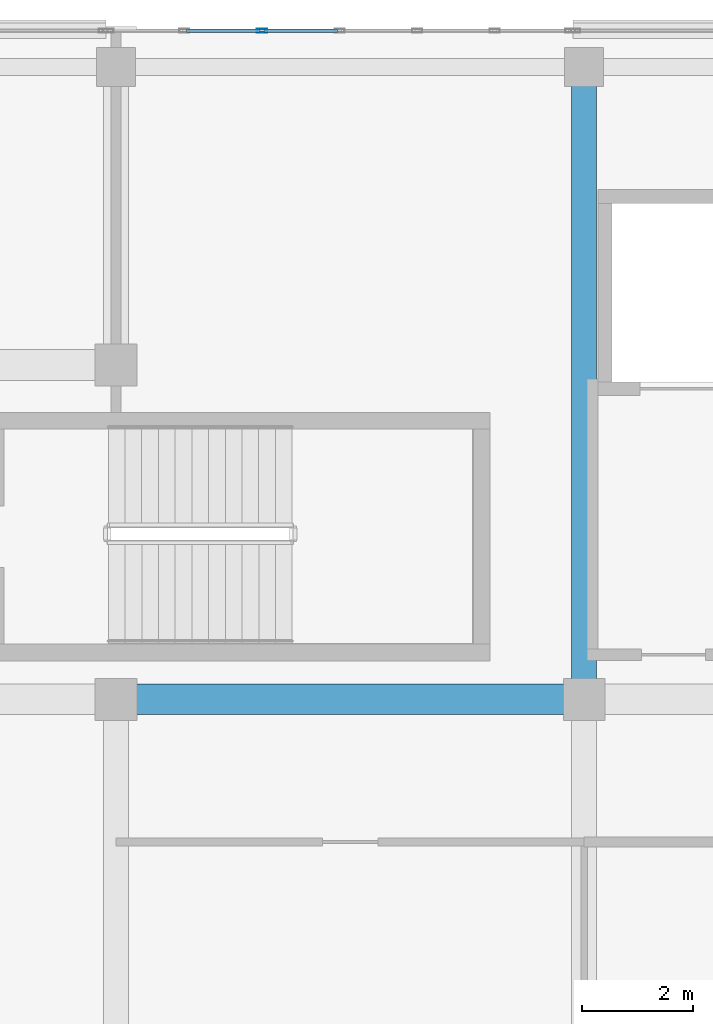
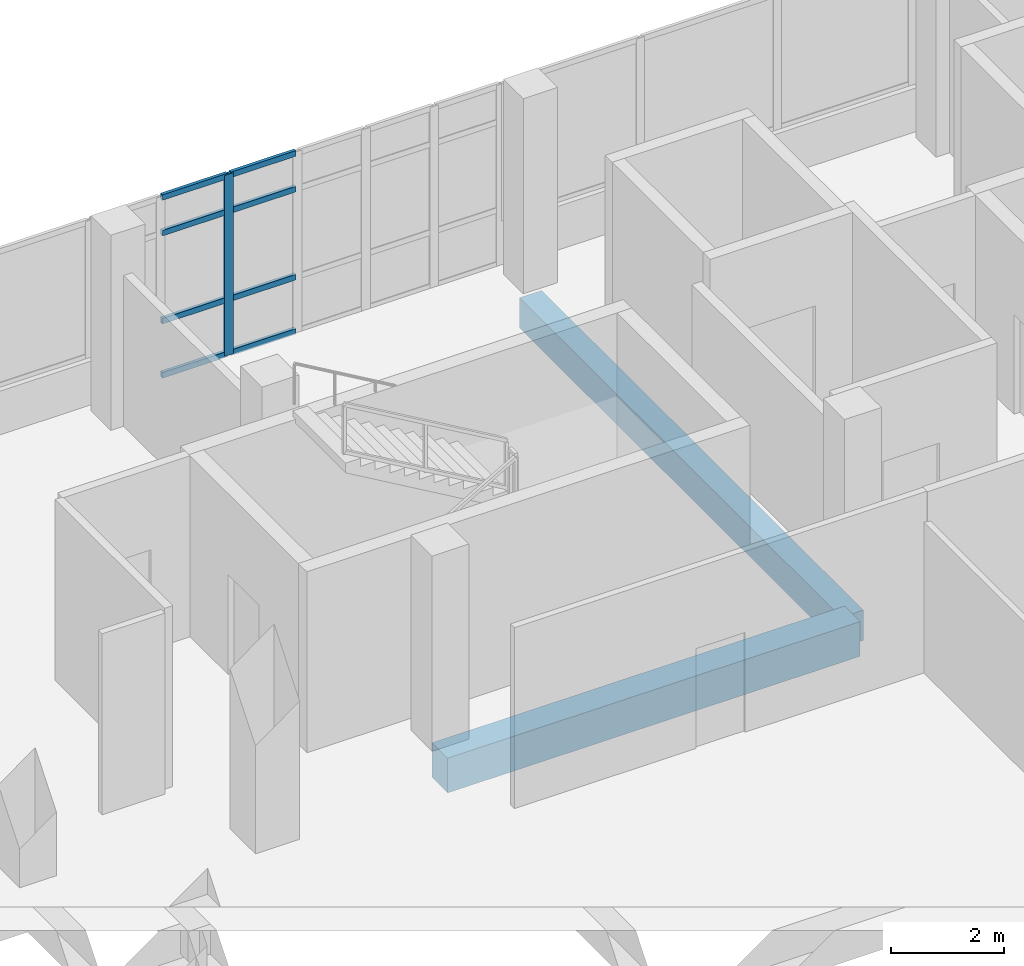
# One storey, part 111 of 184: 9 members, 2 beams, 1 element without a shape of its own.
"""IFC4 building model written with IfcOpenShell, lengths in metres."""

from ifc_helpers import new_model, si_unit, direction, frame, origin, origin_2d, place, context, subcontext, project, spatial, rectangle, hollow_rectangle, extrude, material, material_profile, profile_set, type_object, element, aggregate, save


model = new_model("IFC4")

# Units and contexts
model_context = context("Model", 3, precision=1e-05, world=origin(), true_north=direction((0.0, 1.0)))
body_context = subcontext(model_context, "Body", "Model", "MODEL_VIEW")
ifc_project = project(units=[si_unit("LENGTHUNIT", "METRE"), si_unit("AREAUNIT", "SQUARE_METRE"), si_unit("VOLUMEUNIT", "CUBIC_METRE"), si_unit("PLANEANGLEUNIT", "RADIAN"), si_unit("MASSUNIT", "GRAM", prefix="KILO")], contexts=[model_context])

# Site, building, storey
site_placement = place(None, origin())
site = spatial("IfcSite", under=ifc_project, at=site_placement, CompositionType="ELEMENT")
building_placement = place(site_placement, origin())
building = spatial("IfcBuilding", under=site, at=building_placement, Name="Selatvlak General Hospital", CompositionType="ELEMENT")
storey_placement = place(building_placement, frame((0.0, 0.0, 15.0)))
storey = spatial("IfcBuildingStorey", under=building, at=storey_placement, Name="L03", CompositionType="ELEMENT", Elevation=15.0)

# Beams
ifc_material_1 = material(Name="Concrete C40/50", Category="concrete")
ifc_material_profile_1 = material_profile(ifc_material_1, rectangle(XDim=0.550048828125, YDim=0.75, at=origin_2d()), Name="RC-BM 550x750")
ifc_profile_set_1 = profile_set([ifc_material_profile_1], Name="Concrete C40/50")
beam_type_1 = type_object("IfcBeamType", Name="BM-G02", PredefinedType="BEAM", material=ifc_profile_set_1)
beam_1_placement = place(storey_placement, frame((90.0, 108.0, -0.715087890625), z_axis=(1.0, 0.0, 0.0), x_axis=(0.0, 1.0, 0.0)))
element("IfcBeam", 1, at=beam_1_placement, inside=storey, type_object=beam_type_1, Name="Beam BMR-L03-1255", PredefinedType="BEAM", context=body_context, shape_type="SweptSolid", body=[
    extrude(rectangle(XDim=0.550048828125, YDim=0.75, at=origin_2d()), origin(), (0.0, 0.0, 1.0), 8.39990234375),
])
ifc_material_profile_2 = material_profile(ifc_material_1, rectangle(XDim=0.449951171875, YDim=0.64990234375, at=origin_2d()), Name="RC-BM 450x650")
ifc_profile_set_2 = profile_set([ifc_material_profile_2], Name="Concrete C40/50")
beam_type_2 = type_object("IfcBeamType", Name="BM-G04", PredefinedType="BEAM", material=ifc_profile_set_2)
beam_2_placement = place(storey_placement, frame((98.39990234375, 108.0, -0.6650390625), z_axis=(0.0, 1.0, 0.0), x_axis=(-1.0, 0.0, 0.0)))
element("IfcBeam", 2, at=beam_2_placement, inside=storey, type_object=beam_type_2, Name="Beam BMR-L03-1348", PredefinedType="BEAM", context=body_context, shape_type="SweptSolid", body=[
    extrude(rectangle(XDim=0.449951171875, YDim=0.64990234375, at=origin_2d()), origin(), (0.0, 0.0, 1.0), 11.35009765625),
])

# Curtain wall, members
ifc_material_2 = material(Name="Solar-control Low-E double glazing", Category="glass")
curtain_wall_type = type_object("IfcCurtainWallType", Name="CW-CW-04", PredefinedType="USERDEFINED", material=ifc_material_2)
curtain_wall_placement = place(storey_placement, origin())
curtain_wall = element("IfcCurtainWall", 3, at=curtain_wall_placement, inside=storey, type_object=curtain_wall_type, Name="Glazed facade curtain wall CW-L03-0373", ObjectType="STICK GLAZING WALL", PredefinedType="USERDEFINED")
ifc_material_3 = material(Name="Dark anodised aluminium mullion", Category="aluminium")
ifc_material_profile_3 = material_profile(ifc_material_3, hollow_rectangle(XDim=0.06494140625, YDim=0.179931640625, WallThickness=0.00439453125, at=origin_2d()), Name="AL-MUL 65x180x4.5")
ifc_profile_set_3 = profile_set([ifc_material_profile_3], Name="Dark anodised aluminium mullion")
member_type_1 = type_object("IfcMemberType", Name="CWM-02", PredefinedType="MULLION", material=ifc_profile_set_3)
member_1_placement = place(storey_placement, frame((92.618408203125, 119.9990234375, 0.0), z_axis=(0.0, 0.0, 1.0), x_axis=(0.0, 1.0, 0.0)))
member_1 = element("IfcMember", 4, at=member_1_placement, type_object=member_type_1, Name="CW-04 mullion 3", PredefinedType="MULLION", context=body_context, shape_type="SweptSolid", body=[
    extrude(hollow_rectangle(XDim=0.06494140625, YDim=0.179931640625, WallThickness=0.00439453125, at=origin_2d()), origin(), (0.0, 0.0, 1.0), 3.89501953125),
])
ifc_material_profile_4 = material_profile(ifc_material_3, hollow_rectangle(XDim=0.06494140625, YDim=0.1201171875, WallThickness=0.00390625, at=origin_2d()), Name="AL-TRN 65x120x4")
ifc_profile_set_4 = profile_set([ifc_material_profile_4], Name="Dark anodised aluminium mullion")
member_type_2 = type_object("IfcMemberType", Name="CWT-01", PredefinedType="USERDEFINED", material=ifc_profile_set_4)
member_2_placement = place(storey_placement, frame((91.25927734375, 119.9990234375, 0.032470703125), z_axis=(1.0, 0.0, 0.0), x_axis=(0.0, 1.0, 0.0)))
member_2 = element("IfcMember", 5, at=member_2_placement, type_object=member_type_2, Name="CW-04 transom 2.1", ObjectType="TRANSOM", PredefinedType="USERDEFINED", context=body_context, shape_type="SweptSolid", body=[
    extrude(hollow_rectangle(XDim=0.06494140625, YDim=0.1201171875, WallThickness=0.00390625, at=origin_2d()), origin(), (0.0, 0.0, 1.0), 1.32666015625),
])
member_3_placement = place(storey_placement, frame((91.25927734375, 119.9990234375, 1.199951171875), z_axis=(1.0, 0.0, 0.0), x_axis=(0.0, 1.0, 0.0)))
member_3 = element("IfcMember", 6, at=member_3_placement, type_object=member_type_2, Name="CW-04 transom 2.2", ObjectType="TRANSOM", PredefinedType="USERDEFINED", context=body_context, shape_type="SweptSolid", body=[
    extrude(hollow_rectangle(XDim=0.06494140625, YDim=0.1201171875, WallThickness=0.00390625, at=origin_2d()), origin(), (0.0, 0.0, 1.0), 1.32666015625),
])
member_4_placement = place(storey_placement, frame((91.25927734375, 119.9990234375, 3.094970703125), z_axis=(1.0, 0.0, 0.0), x_axis=(0.0, 1.0, 0.0)))
member_4 = element("IfcMember", 7, at=member_4_placement, type_object=member_type_2, Name="CW-04 transom 2.3", ObjectType="TRANSOM", PredefinedType="USERDEFINED", context=body_context, shape_type="SweptSolid", body=[
    extrude(hollow_rectangle(XDim=0.06494140625, YDim=0.1201171875, WallThickness=0.00390625, at=origin_2d()), origin(), (0.0, 0.0, 1.0), 1.32666015625),
])
member_5_placement = place(storey_placement, frame((91.25927734375, 119.9990234375, 3.862548828125), z_axis=(1.0, 0.0, 0.0), x_axis=(0.0, 1.0, 0.0)))
member_5 = element("IfcMember", 8, at=member_5_placement, type_object=member_type_2, Name="CW-04 transom 2.4", ObjectType="TRANSOM", PredefinedType="USERDEFINED", context=body_context, shape_type="SweptSolid", body=[
    extrude(hollow_rectangle(XDim=0.06494140625, YDim=0.1201171875, WallThickness=0.00390625, at=origin_2d()), origin(), (0.0, 0.0, 1.0), 1.32666015625),
])
member_6_placement = place(storey_placement, frame((92.65087890625, 119.9990234375, 0.032470703125), z_axis=(1.0, 0.0, 0.0), x_axis=(0.0, 1.0, 0.0)))
member_6 = element("IfcMember", 9, at=member_6_placement, type_object=member_type_2, Name="CW-04 transom 3.1", ObjectType="TRANSOM", PredefinedType="USERDEFINED", context=body_context, shape_type="SweptSolid", body=[
    extrude(hollow_rectangle(XDim=0.06494140625, YDim=0.1201171875, WallThickness=0.00390625, at=origin_2d()), origin(), (0.0, 0.0, 1.0), 1.32666015625),
])
member_7_placement = place(storey_placement, frame((92.65087890625, 119.9990234375, 1.199951171875), z_axis=(1.0, 0.0, 0.0), x_axis=(0.0, 1.0, 0.0)))
member_7 = element("IfcMember", 10, at=member_7_placement, type_object=member_type_2, Name="CW-04 transom 3.2", ObjectType="TRANSOM", PredefinedType="USERDEFINED", context=body_context, shape_type="SweptSolid", body=[
    extrude(hollow_rectangle(XDim=0.06494140625, YDim=0.1201171875, WallThickness=0.00390625, at=origin_2d()), origin(), (0.0, 0.0, 1.0), 1.32666015625),
])
member_8_placement = place(storey_placement, frame((92.65087890625, 119.9990234375, 3.094970703125), z_axis=(1.0, 0.0, 0.0), x_axis=(0.0, 1.0, 0.0)))
member_8 = element("IfcMember", 11, at=member_8_placement, type_object=member_type_2, Name="CW-04 transom 3.3", ObjectType="TRANSOM", PredefinedType="USERDEFINED", context=body_context, shape_type="SweptSolid", body=[
    extrude(hollow_rectangle(XDim=0.06494140625, YDim=0.1201171875, WallThickness=0.00390625, at=origin_2d()), origin(), (0.0, 0.0, 1.0), 1.32666015625),
])
member_9_placement = place(storey_placement, frame((92.65087890625, 119.9990234375, 3.862548828125), z_axis=(1.0, 0.0, 0.0), x_axis=(0.0, 1.0, 0.0)))
member_9 = element("IfcMember", 12, at=member_9_placement, type_object=member_type_2, Name="CW-04 transom 3.4", ObjectType="TRANSOM", PredefinedType="USERDEFINED", context=body_context, shape_type="SweptSolid", body=[
    extrude(hollow_rectangle(XDim=0.06494140625, YDim=0.1201171875, WallThickness=0.00390625, at=origin_2d()), origin(), (0.0, 0.0, 1.0), 1.32666015625),
])
aggregate(curtain_wall, [member_1, member_2, member_3, member_4, member_5, member_6, member_7, member_8, member_9])

save(model, "model.ifc")
